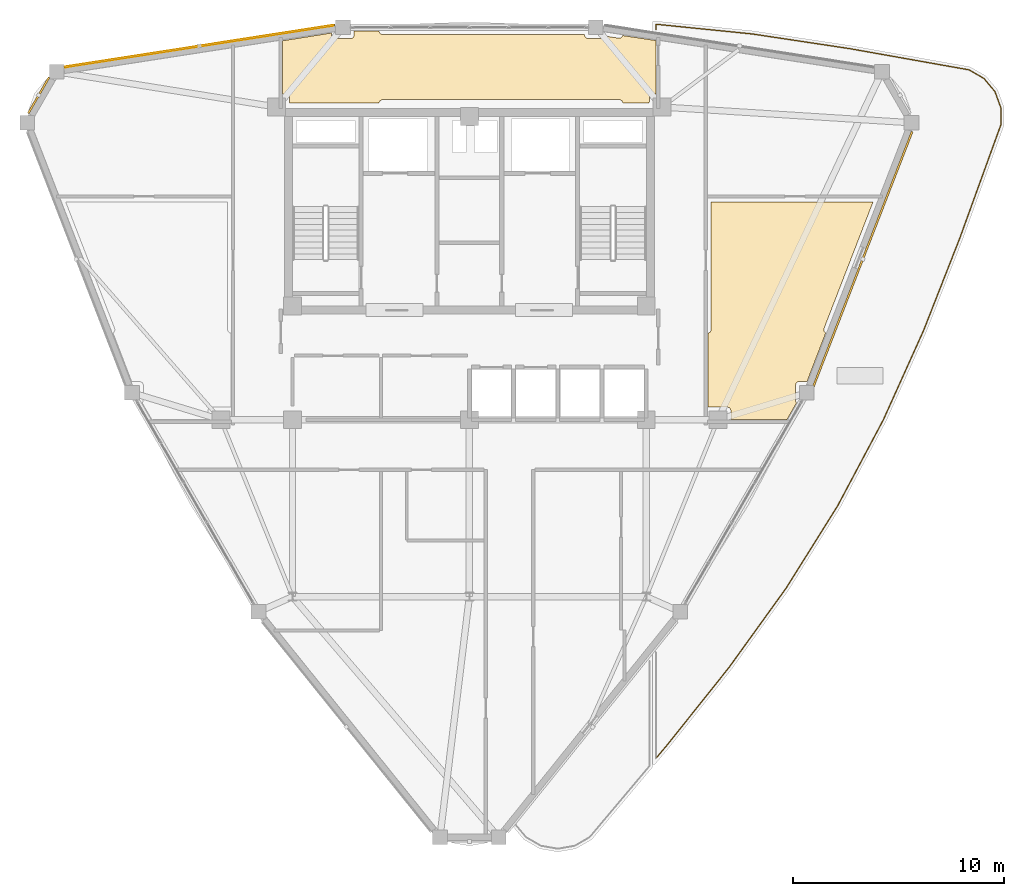
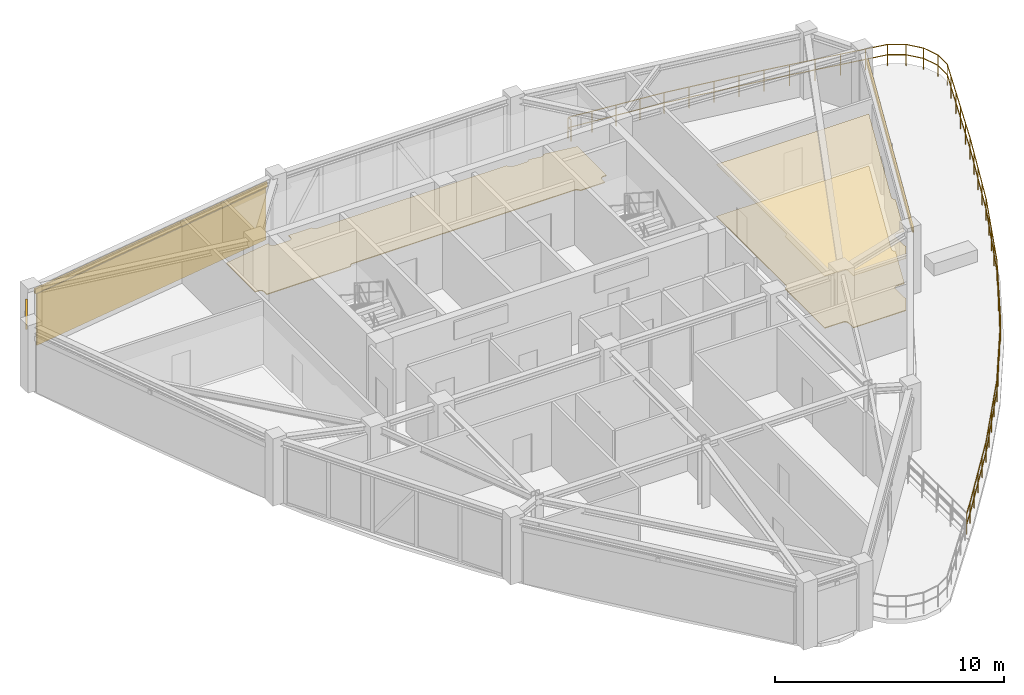
# One storey, part 15 of 16: 4 coverings, 3 shading devices, 1 railing.
"""IFC4 building model written with IfcOpenShell, lengths in metres."""

from ifc_helpers import new_model, si_unit, derived_unit, direction, frame, origin, origin_2d, place, context, subcontext, project, spatial, polyline, hollow_rectangle, circle, outline, extrude, source, transform, mapped, material, layer, layer_set, material_profile, profile_set, type_object, element, save


model = new_model("IFC4")

# Units and contexts
model_context = context("Model", 3, precision=1e-05, world=origin(), true_north=direction((0.0, 1.0)))
body_context = subcontext(model_context, "Body", "Model", "MODEL_VIEW")
ifc_project = project(units=[si_unit("LENGTHUNIT", "METRE"), si_unit("AREAUNIT", "SQUARE_METRE"), si_unit("VOLUMEUNIT", "CUBIC_METRE"), si_unit("PLANEANGLEUNIT", "RADIAN"), si_unit("MASSUNIT", "GRAM", prefix="KILO"), derived_unit("THERMALTRANSMITTANCEUNIT", [(si_unit("POWERUNIT", "WATT"), 1), (si_unit("LENGTHUNIT", "METRE"), -2), (si_unit("THERMODYNAMICTEMPERATUREUNIT", "KELVIN"), -1)])], contexts=[model_context])

# Site, building, storey
site_placement = place(None, origin())
site = spatial("IfcSite", under=ifc_project, at=site_placement, CompositionType="ELEMENT")
building_placement = place(site_placement, origin())
building = spatial("IfcBuilding", under=site, at=building_placement, Name="Korsvarv Bourse and Concert Hall", CompositionType="ELEMENT")
storey_placement = place(building_placement, frame((0.0, 0.0, 243.0)))
storey = spatial("IfcBuildingStorey", under=building, at=storey_placement, Name="L63", CompositionType="ELEMENT", Elevation=243.0)

# Coverings
ifc_material_1 = material(Name="Perforated mineral-wool and birch acoustic baffle ceiling", Category="wood")
ifc_layer_1 = layer(ifc_material_1, 0.02490234375)
ifc_layer_set_1 = layer_set([ifc_layer_1], Name="Perforated mineral-wool and birch acoustic baffle ceiling")
covering_type_1 = type_object("IfcCoveringType", Name="COV-CEIL-1", PredefinedType="CEILING", material=ifc_layer_set_1)
covering_1_placement = place(storey_placement, frame((0.0, 0.0, 2.7900390625)))
element("IfcCovering", 1, at=covering_1_placement, inside=storey, type_object=covering_type_1, Name="L63 acoustic baffle ceiling 2", PredefinedType="CEILING", context=body_context, shape_type="SweptSolid", body=[
    extrude(outline(polyline([(47.320068359375, 36.51123046875), (47.34521484375, 36.515869140625), (47.37939453125, 36.5283203125), (47.41015625, 36.547607421875), (47.4365234375, 36.57275390625), (47.45751953125, 36.602783203125), (47.4716796875, 36.635986328125), (47.47900390625, 36.671875), (47.47998046875, 42.75), (55.1689453125, 42.75), (52.842041015625, 36.744140625), (52.83251953125, 36.708984375), (52.830078125, 36.6728515625), (52.8349609375, 36.636962890625), (52.846923828125, 36.6025390625), (52.865478515625, 36.571533203125), (52.89013671875, 36.544677734375), (52.91943359375, 36.5234375), (52.037109375, 34.2236328125), (51.6708984375, 34.2236328125), (51.635986328125, 34.22021484375), (51.6025390625, 34.210205078125), (51.57177734375, 34.19384765625), (51.54443359375, 34.171875), (51.522216796875, 34.14501953125), (51.50537109375, 34.1142578125), (51.494873046875, 34.080810546875), (51.490966796875, 34.046142578125), (51.48095703125, 33.336181640625), (51.484130859375, 33.2998046875), (51.494384765625, 33.264892578125), (51.51171875, 33.23291015625), (51.534912109375, 33.205078125), (51.069091796875, 32.394775390625), (51.0439453125, 32.402099609375), (51.008544921875, 32.405517578125), (48.4150390625, 32.40966796875), (48.4150390625, 32.824951171875), (48.41162109375, 32.85986328125), (48.401611328125, 32.893310546875), (48.385009765625, 32.92431640625), (48.363037109375, 32.951416015625), (48.336181640625, 32.973876953125), (48.305419921875, 32.99072265625), (48.27197265625, 33.001220703125), (48.237060546875, 33.0048828125), (47.377197265625, 33.014892578125), (47.342041015625, 33.011962890625), (47.320068359375, 33.006103515625), (47.320068359375, 36.51123046875)])), origin(), (0.0, 0.0, 1.0), 0.02490234375),
])
ifc_material_2 = material(Name="Warm iron-oxide extruded terracotta rainscreen tile", Category="ceramic")
ifc_layer_2 = layer(ifc_material_2, 0.044921875)
ifc_layer_set_2 = layer_set([ifc_layer_2], Name="Warm iron-oxide extruded terracotta rainscreen tile")
covering_type_2 = type_object("IfcCoveringType", Name="COV-CLD-TC", PredefinedType="CLADDING", material=ifc_layer_set_2)
covering_2_placement = place(storey_placement, origin())
element("IfcCovering", 2, at=covering_2_placement, inside=storey, type_object=covering_type_2, Name="L63 fluted terracotta cladding panel EW-L63-B04", PredefinedType="CLADDING", context=body_context, shape_type="SweptSolid", body=[
    extrude(outline(polyline([(29.540771484375, 51.0986328125), (16.822998046875, 49.125), (16.81591796875, 49.169189453125), (29.533935546875, 51.143310546875), (29.540771484375, 51.0986328125)])), origin(), (0.0, 0.0, 1.0), 2.760009765625),
])
ifc_material_3 = material(Name="Calcium-sulphate raised access trading floor with Nordic oak top", Category="wood")
ifc_layer_3 = layer(ifc_material_3, 0.0400390625)
ifc_layer_set_3 = layer_set([ifc_layer_3], Name="Calcium-sulphate raised access trading floor with Nordic oak top")
covering_type_3 = type_object("IfcCoveringType", Name="COV-FLOR-1", PredefinedType="FLOORING", material=ifc_layer_set_3)
covering_3_placement = place(storey_placement, origin())
element("IfcCovering", 3, at=covering_3_placement, inside=storey, type_object=covering_type_3, Name="L63 raised access oak floor finish 2", PredefinedType="FLOORING", context=body_context, shape_type="SweptSolid", body=[
    extrude(outline(polyline([(47.320068359375, 36.51123046875), (47.34521484375, 36.515869140625), (47.37939453125, 36.5283203125), (47.41015625, 36.547607421875), (47.4365234375, 36.57275390625), (47.45751953125, 36.602783203125), (47.4716796875, 36.635986328125), (47.47900390625, 36.671875), (47.47998046875, 42.75), (55.1689453125, 42.75), (52.842041015625, 36.744140625), (52.83251953125, 36.708984375), (52.830078125, 36.6728515625), (52.8349609375, 36.636962890625), (52.846923828125, 36.6025390625), (52.865478515625, 36.571533203125), (52.89013671875, 36.544677734375), (52.91943359375, 36.5234375), (52.037109375, 34.2236328125), (51.6708984375, 34.2236328125), (51.635986328125, 34.22021484375), (51.6025390625, 34.210205078125), (51.57177734375, 34.19384765625), (51.54443359375, 34.171875), (51.522216796875, 34.14501953125), (51.50537109375, 34.1142578125), (51.494873046875, 34.080810546875), (51.490966796875, 34.046142578125), (51.48095703125, 33.336181640625), (51.484130859375, 33.2998046875), (51.494384765625, 33.264892578125), (51.51171875, 33.23291015625), (51.534912109375, 33.205078125), (51.069091796875, 32.394775390625), (51.0439453125, 32.402099609375), (51.008544921875, 32.405517578125), (48.4150390625, 32.40966796875), (48.4150390625, 32.824951171875), (48.41162109375, 32.85986328125), (48.401611328125, 32.893310546875), (48.385009765625, 32.92431640625), (48.363037109375, 32.951416015625), (48.336181640625, 32.973876953125), (48.305419921875, 32.99072265625), (48.27197265625, 33.001220703125), (48.237060546875, 33.0048828125), (47.377197265625, 33.014892578125), (47.342041015625, 33.011962890625), (47.320068359375, 33.006103515625), (47.320068359375, 36.51123046875)])), origin(), (0.0, 0.0, 1.0), 0.0400390625),
])
covering_4_placement = place(storey_placement, origin())
element("IfcCovering", 4, at=covering_4_placement, inside=storey, type_object=covering_type_3, Name="L63 raised access oak floor finish 3", PredefinedType="FLOORING", context=body_context, shape_type="SweptSolid", body=[
    extrude(outline(polyline([(29.45556640625, 50.7666015625), (29.45556640625, 50.6826171875), (29.458984375, 50.64794921875), (29.468994140625, 50.614501953125), (29.4853515625, 50.58349609375), (29.50732421875, 50.556396484375), (29.5341796875, 50.533935546875), (29.56494140625, 50.51708984375), (29.598388671875, 50.506591796875), (29.633056640625, 50.502685546875), (30.343017578125, 50.49267578125), (30.3779296875, 50.49560546875), (30.41162109375, 50.505126953125), (30.442626953125, 50.52099609375), (30.47021484375, 50.542724609375), (30.492919921875, 50.5693359375), (30.51025390625, 50.599853515625), (30.521240234375, 50.633056640625), (30.525390625, 50.667724609375), (30.53076171875, 50.852783203125), (31.711181640625, 50.852783203125), (31.7158203125, 50.827392578125), (31.728515625, 50.79345703125), (31.747802734375, 50.762451171875), (31.772705078125, 50.736083984375), (31.802734375, 50.71533203125), (31.836181640625, 50.700927734375), (31.871826171875, 50.693603515625), (41.46435546875, 50.692626953125), (41.46533203125, 50.665283203125), (41.471923828125, 50.630859375), (41.4853515625, 50.598388671875), (41.504638671875, 50.5693359375), (41.529052734375, 50.54443359375), (41.55810546875, 50.52490234375), (41.590087890625, 50.510986328125), (41.62451171875, 50.50390625), (42.351806640625, 50.49267578125), (42.387939453125, 50.495849609375), (42.4228515625, 50.506103515625), (42.454833984375, 50.523193359375), (42.482666015625, 50.54638671875), (42.50537109375, 50.57470703125), (42.52197265625, 50.607177734375), (43.08447265625, 50.52099609375), (43.12060546875, 50.51904296875), (43.156494140625, 50.5244140625), (43.1904296875, 50.536865234375), (43.221435546875, 50.555908203125), (43.247802734375, 50.58056640625), (43.268798828125, 50.610107421875), (43.283203125, 50.643310546875), (44.87060546875, 50.40576171875), (44.8701171875, 47.864990234375), (44.72509765625, 47.864990234375), (44.6904296875, 47.861572265625), (44.656982421875, 47.851806640625), (44.626220703125, 47.83544921875), (44.59912109375, 47.813720703125), (44.576904296875, 47.787109375), (44.559814453125, 47.7568359375), (44.54931640625, 47.7236328125), (44.544921875, 47.689208984375), (44.539306640625, 47.43994140625), (43.288818359375, 47.43994140625), (43.2841796875, 47.465087890625), (43.271484375, 47.499267578125), (43.252197265625, 47.5302734375), (43.227294921875, 47.556640625), (43.197265625, 47.577392578125), (43.163818359375, 47.591796875), (43.128173828125, 47.59912109375), (31.889892578125, 47.60009765625), (31.853759765625, 47.59619140625), (31.819091796875, 47.58544921875), (31.787109375, 47.567626953125), (31.759521484375, 47.5439453125), (31.7373046875, 47.51513671875), (31.72119140625, 47.482421875), (31.712158203125, 47.447265625), (27.465087890625, 47.43994140625), (27.465087890625, 47.675048828125), (27.461669921875, 47.70947265625), (27.451904296875, 47.74267578125), (27.435791015625, 47.773193359375), (27.414306640625, 47.80029296875), (27.3876953125, 47.82275390625), (27.357666015625, 47.839599609375), (27.32470703125, 47.8505859375), (27.290283203125, 47.85498046875), (27.1298828125, 47.859619140625), (27.1298828125, 50.395751953125), (29.45556640625, 50.7666015625)])), origin(), (0.0, 0.0, 1.0), 0.0400390625),
])

# Railing
ifc_material_4 = material(Name="Laminated safety glass and stainless Steel S355 balustrade", Category="steel")
railing_type = type_object("IfcRailingType", Name="RL-BAL-EXT", PredefinedType="BALUSTRADE", material=ifc_material_4)
railing_placement = place(storey_placement, frame((44.85009765625, 50.917236328125, 0.0)))
element("IfcRailing", 5, at=railing_placement, inside=storey, type_object=railing_type, Name="L63 terrace perimeter balustrade SKYG1-2", PredefinedType="BALUSTRADE", context=body_context, shape_type="SweptSolid", body=[
    extrude(circle(Radius=0.02392578125, at=origin_2d()), frame((0.0, 0.0, 1.1259765625), z_axis=(0.0, 1.0, 0.0), x_axis=(-1.0, 0.0, 0.0)), (0.0, 0.0, 1.0), 0.264404296875),
    extrude(circle(Radius=0.02392578125, at=origin_2d()), frame((0.0, 0.0, 0.574951171875), z_axis=(0.0, 1.0, 0.0), x_axis=(-1.0, 0.0, 0.0)), (0.0, 0.0, 1.0), 0.264404296875),
    extrude(circle(Radius=0.02392578125, at=origin_2d()), frame((0.0, 0.264404296875, 1.1259765625), z_axis=(0.994964507302, -0.10022788639, 0.0), x_axis=(0.10022788639, 0.994964507302, 0.0)), (0.0, 0.0, 1.0), 4.606201171875),
    extrude(circle(Radius=0.02392578125, at=origin_2d()), frame((0.0, 0.264404296875, 0.574951171875), z_axis=(0.994964507302, -0.10022788639, 0.0), x_axis=(0.10022788639, 0.994964507302, 0.0)), (0.0, 0.0, 1.0), 4.606201171875),
    extrude(circle(Radius=0.02392578125, at=origin_2d()), frame((4.5830078125, -0.197265625, 1.1259765625), z_axis=(0.988823545061, -0.149090565537, 0.0), x_axis=(0.149090565537, 0.988823545061, 0.0)), (0.0, 0.0, 1.0), 4.69482421875),
    extrude(circle(Radius=0.02392578125, at=origin_2d()), frame((4.5830078125, -0.197265625, 0.574951171875), z_axis=(0.988823545061, -0.149090565537, 0.0), x_axis=(0.149090565537, 0.988823545061, 0.0)), (0.0, 0.0, 1.0), 4.69482421875),
    extrude(circle(Radius=0.02392578125, at=origin_2d()), frame((9.225341796875, -0.897216796875, 1.1259765625), z_axis=(0.984548657444, -0.175111225012, 0.0), x_axis=(0.175111225012, 0.984548657444, 0.0)), (0.0, 0.0, 1.0), 4.726318359375),
    extrude(circle(Radius=0.02392578125, at=origin_2d()), frame((9.225341796875, -0.897216796875, 0.574951171875), z_axis=(0.984548657444, -0.175111225012, 0.0), x_axis=(0.175111225012, 0.984548657444, 0.0)), (0.0, 0.0, 1.0), 4.726318359375),
    extrude(circle(Radius=0.02392578125, at=origin_2d()), frame((13.878662109375, -1.724853515625, 1.1259765625), z_axis=(0.984761666444, -0.173909345067, 0.0), x_axis=(0.173909345067, 0.984761666444, 0.0)), (0.0, 0.0, 1.0), 1.0107421875),
    extrude(circle(Radius=0.02392578125, at=origin_2d()), frame((13.878662109375, -1.724853515625, 0.574951171875), z_axis=(0.984761666444, -0.173909345067, 0.0), x_axis=(0.173909345067, 0.984761666444, 0.0)), (0.0, 0.0, 1.0), 1.0107421875),
    extrude(circle(Radius=0.02392578125, at=origin_2d()), frame((14.8740234375, -1.900634765625, 1.1259765625), z_axis=(0.866080975745, -0.499903734186, 0.0), x_axis=(0.499903734186, 0.866080975745, 0.0)), (0.0, 0.0, 1.0), 0.816162109375),
    extrude(circle(Radius=0.02392578125, at=origin_2d()), frame((14.8740234375, -1.900634765625, 0.574951171875), z_axis=(0.866080975745, -0.499903734186, 0.0), x_axis=(0.499903734186, 0.866080975745, 0.0)), (0.0, 0.0, 1.0), 0.816162109375),
    extrude(circle(Radius=0.02392578125, at=origin_2d()), frame((15.580810546875, -2.30859375, 1.1259765625), z_axis=(0.642827392176, -0.766011059886, 0.0), x_axis=(0.766011059886, 0.642827392176, 0.0)), (0.0, 0.0, 1.0), 0.816650390625),
    extrude(circle(Radius=0.02392578125, at=origin_2d()), frame((15.580810546875, -2.30859375, 0.574951171875), z_axis=(0.642827392176, -0.766011059886, 0.0), x_axis=(0.766011059886, 0.642827392176, 0.0)), (0.0, 0.0, 1.0), 0.816650390625),
    extrude(circle(Radius=0.02392578125, at=origin_2d()), frame((16.105712890625, -2.93408203125, 1.1259765625), z_axis=(0.341959247603, -0.939714782782, 0.0), x_axis=(0.939714782782, 0.341959247603, 0.0)), (0.0, 0.0, 1.0), 0.816162109375),
    extrude(circle(Radius=0.02392578125, at=origin_2d()), frame((16.105712890625, -2.93408203125, 0.574951171875), z_axis=(0.341959247603, -0.939714782782, 0.0), x_axis=(0.939714782782, 0.341959247603, 0.0)), (0.0, 0.0, 1.0), 0.816162109375),
    extrude(circle(Radius=0.02392578125, at=origin_2d()), frame((16.384765625, -3.700927734375, 1.1259765625), z_axis=(0.0, -1.0, 0.0), x_axis=(1.0, 0.0, 0.0)), (0.0, 0.0, 1.0), 0.81640625),
    extrude(circle(Radius=0.02392578125, at=origin_2d()), frame((16.384765625, -3.700927734375, 0.574951171875), z_axis=(0.0, -1.0, 0.0), x_axis=(1.0, 0.0, 0.0)), (0.0, 0.0, 1.0), 0.81640625),
    extrude(circle(Radius=0.02392578125, at=origin_2d()), frame((16.384765625, -4.517333984375, 1.1259765625), z_axis=(-0.34203792349, -0.939686149145, 0.0), x_axis=(0.939686149145, -0.34203792349, 0.0)), (0.0, 0.0, 1.0), 0.9970703125),
    extrude(circle(Radius=0.02392578125, at=origin_2d()), frame((16.384765625, -4.517333984375, 0.574951171875), z_axis=(-0.34203792349, -0.939686149145, 0.0), x_axis=(0.939686149145, -0.34203792349, 0.0)), (0.0, 0.0, 1.0), 0.9970703125),
    extrude(circle(Radius=0.02392578125, at=origin_2d()), frame((16.043701171875, -5.454345703125, 1.1259765625), z_axis=(-0.340584766404, -0.940213814456, 0.0), x_axis=(0.940213814456, -0.340584766404, 0.0)), (0.0, 0.0, 1.0), 4.73974609375),
    extrude(circle(Radius=0.02392578125, at=origin_2d()), frame((16.043701171875, -5.454345703125, 0.574951171875), z_axis=(-0.340584766404, -0.940213814456, 0.0), x_axis=(0.940213814456, -0.340584766404, 0.0)), (0.0, 0.0, 1.0), 4.73974609375),
    extrude(circle(Radius=0.02392578125, at=origin_2d()), frame((14.429443359375, -9.91064453125, 1.1259765625), z_axis=(-0.365333952439, -0.93087652414, 0.0), x_axis=(0.93087652414, -0.365333952439, 0.0)), (0.0, 0.0, 1.0), 4.697265625),
    extrude(circle(Radius=0.02392578125, at=origin_2d()), frame((14.429443359375, -9.91064453125, 0.574951171875), z_axis=(-0.365333952439, -0.93087652414, 0.0), x_axis=(0.93087652414, -0.365333952439, 0.0)), (0.0, 0.0, 1.0), 4.697265625),
    extrude(circle(Radius=0.02392578125, at=origin_2d()), frame((12.71337890625, -14.283203125, 1.1259765625), z_axis=(-0.410703436316, -0.911768987956, 0.0), x_axis=(0.911768987956, -0.410703436316, 0.0)), (0.0, 0.0, 1.0), 4.644287109375),
    extrude(circle(Radius=0.02392578125, at=origin_2d()), frame((12.71337890625, -14.283203125, 0.574951171875), z_axis=(-0.410703436316, -0.911768987956, 0.0), x_axis=(0.911768987956, -0.410703436316, 0.0)), (0.0, 0.0, 1.0), 4.644287109375),
    extrude(circle(Radius=0.02392578125, at=origin_2d()), frame((10.805908203125, -18.517822265625, 1.1259765625), z_axis=(-0.469052038009, -0.883170530328, 0.0), x_axis=(0.883170530328, -0.469052038009, 0.0)), (0.0, 0.0, 1.0), 4.61328125),
    extrude(circle(Radius=0.02392578125, at=origin_2d()), frame((10.805908203125, -18.517822265625, 0.574951171875), z_axis=(-0.469052038009, -0.883170530328, 0.0), x_axis=(0.883170530328, -0.469052038009, 0.0)), (0.0, 0.0, 1.0), 4.61328125),
    extrude(circle(Radius=0.02392578125, at=origin_2d()), frame((8.64208984375, -22.592041015625, 1.1259765625), z_axis=(-0.530289035929, -0.847816925034, 0.0), x_axis=(0.847816925034, -0.530289035929, 0.0)), (0.0, 0.0, 1.0), 4.614013671875),
    extrude(circle(Radius=0.02392578125, at=origin_2d()), frame((8.64208984375, -22.592041015625, 0.574951171875), z_axis=(-0.530289035929, -0.847816925034, 0.0), x_axis=(0.847816925034, -0.530289035929, 0.0)), (0.0, 0.0, 1.0), 4.614013671875),
    extrude(circle(Radius=0.02392578125, at=origin_2d()), frame((6.1953125, -26.50390625, 1.1259765625), z_axis=(-0.584332426373, -0.811514396353, 0.0), x_axis=(0.811514396353, -0.584332426373, 0.0)), (0.0, 0.0, 1.0), 4.6435546875),
    extrude(circle(Radius=0.02392578125, at=origin_2d()), frame((6.1953125, -26.50390625, 0.574951171875), z_axis=(-0.584332426373, -0.811514396353, 0.0), x_axis=(0.811514396353, -0.584332426373, 0.0)), (0.0, 0.0, 1.0), 4.6435546875),
    extrude(circle(Radius=0.02392578125, at=origin_2d()), frame((3.48193359375, -30.272216796875, 1.1259765625), z_axis=(-0.623520800949, -0.781806760513, 0.0), x_axis=(0.781806760513, -0.623520800949, 0.0)), (0.0, 0.0, 1.0), 4.693603515625),
    extrude(circle(Radius=0.02392578125, at=origin_2d()), frame((3.48193359375, -30.272216796875, 0.574951171875), z_axis=(-0.623520800949, -0.781806760513, 0.0), x_axis=(0.781806760513, -0.623520800949, 0.0)), (0.0, 0.0, 1.0), 4.693603515625),
    extrude(circle(Radius=0.02392578125, at=origin_2d()), frame((0.555419921875, -33.941650390625, 1.1259765625), z_axis=(-0.643935250114, -0.765079991674, 0.0), x_axis=(0.765079991674, -0.643935250114, 0.0)), (0.0, 0.0, 1.0), 0.862548828125),
    extrude(circle(Radius=0.02392578125, at=origin_2d()), frame((0.555419921875, -33.941650390625, 0.574951171875), z_axis=(-0.643935250114, -0.765079991674, 0.0), x_axis=(0.765079991674, -0.643935250114, 0.0)), (0.0, 0.0, 1.0), 0.862548828125),
    extrude(circle(Radius=0.02099609375, at=origin_2d()), origin(), (0.0, 0.0, 1.0), 1.101806640625),
    extrude(circle(Radius=0.02099609375, at=origin_2d()), frame((0.0, 0.264404296875, 0.0)), (0.0, 0.0, 1.0), 1.101806640625),
    extrude(circle(Radius=0.02099609375, at=origin_2d()), frame((1.145751953125, 0.14892578125, 0.0)), (0.0, 0.0, 1.0), 1.101806640625),
    extrude(circle(Radius=0.02099609375, at=origin_2d()), frame((2.29150390625, 0.03369140625, 0.0)), (0.0, 0.0, 1.0), 1.101806640625),
    extrude(circle(Radius=0.02099609375, at=origin_2d()), frame((3.437255859375, -0.081787109375, 0.0)), (0.0, 0.0, 1.0), 1.101806640625),
    extrude(circle(Radius=0.02099609375, at=origin_2d()), frame((4.5830078125, -0.197265625, 0.0)), (0.0, 0.0, 1.0), 1.101806640625),
    extrude(circle(Radius=0.02099609375, at=origin_2d()), frame((5.74365234375, -0.372314453125, 0.0)), (0.0, 0.0, 1.0), 1.101806640625),
    extrude(circle(Radius=0.02099609375, at=origin_2d()), frame((6.904296875, -0.54736328125, 0.0)), (0.0, 0.0, 1.0), 1.101806640625),
    extrude(circle(Radius=0.02099609375, at=origin_2d()), frame((8.064697265625, -0.72216796875, 0.0)), (0.0, 0.0, 1.0), 1.101806640625),
    extrude(circle(Radius=0.02099609375, at=origin_2d()), frame((9.225341796875, -0.897216796875, 0.0)), (0.0, 0.0, 1.0), 1.101806640625),
    extrude(circle(Radius=0.02099609375, at=origin_2d()), frame((10.388671875, -1.10400390625, 0.0)), (0.0, 0.0, 1.0), 1.101806640625),
    extrude(circle(Radius=0.02099609375, at=origin_2d()), frame((11.552001953125, -1.31103515625, 0.0)), (0.0, 0.0, 1.0), 1.101806640625),
    extrude(circle(Radius=0.02099609375, at=origin_2d()), frame((12.71533203125, -1.51806640625, 0.0)), (0.0, 0.0, 1.0), 1.101806640625),
    extrude(circle(Radius=0.02099609375, at=origin_2d()), frame((13.878662109375, -1.724853515625, 0.0)), (0.0, 0.0, 1.0), 1.101806640625),
    extrude(circle(Radius=0.02099609375, at=origin_2d()), frame((14.8740234375, -1.900634765625, 0.0)), (0.0, 0.0, 1.0), 1.101806640625),
    extrude(circle(Radius=0.02099609375, at=origin_2d()), frame((15.580810546875, -2.30859375, 0.0)), (0.0, 0.0, 1.0), 1.101806640625),
    extrude(circle(Radius=0.02099609375, at=origin_2d()), frame((16.105712890625, -2.93408203125, 0.0)), (0.0, 0.0, 1.0), 1.101806640625),
    extrude(circle(Radius=0.02099609375, at=origin_2d()), frame((16.384765625, -3.700927734375, 0.0)), (0.0, 0.0, 1.0), 1.101806640625),
    extrude(circle(Radius=0.02099609375, at=origin_2d()), frame((16.384765625, -4.517333984375, 0.0)), (0.0, 0.0, 1.0), 1.101806640625),
    extrude(circle(Radius=0.02099609375, at=origin_2d()), frame((16.043701171875, -5.454345703125, 0.0)), (0.0, 0.0, 1.0), 1.101806640625),
    extrude(circle(Radius=0.02099609375, at=origin_2d()), frame((15.64013671875, -6.568359375, 0.0)), (0.0, 0.0, 1.0), 1.101806640625),
    extrude(circle(Radius=0.02099609375, at=origin_2d()), frame((15.236572265625, -7.6826171875, 0.0)), (0.0, 0.0, 1.0), 1.101806640625),
    extrude(circle(Radius=0.02099609375, at=origin_2d()), frame((14.8330078125, -8.796630859375, 0.0)), (0.0, 0.0, 1.0), 1.101806640625),
    extrude(circle(Radius=0.02099609375, at=origin_2d()), frame((14.429443359375, -9.91064453125, 0.0)), (0.0, 0.0, 1.0), 1.101806640625),
    extrude(circle(Radius=0.02099609375, at=origin_2d()), frame((14.00048828125, -11.00390625, 0.0)), (0.0, 0.0, 1.0), 1.101806640625),
    extrude(circle(Radius=0.02099609375, at=origin_2d()), frame((13.5712890625, -12.096923828125, 0.0)), (0.0, 0.0, 1.0), 1.101806640625),
    extrude(circle(Radius=0.02099609375, at=origin_2d()), frame((13.142333984375, -13.18994140625, 0.0)), (0.0, 0.0, 1.0), 1.101806640625),
    extrude(circle(Radius=0.02099609375, at=origin_2d()), frame((12.71337890625, -14.283203125, 0.0)), (0.0, 0.0, 1.0), 1.101806640625),
    extrude(circle(Radius=0.02099609375, at=origin_2d()), frame((12.236572265625, -15.341796875, 0.0)), (0.0, 0.0, 1.0), 1.101806640625),
    extrude(circle(Radius=0.02099609375, at=origin_2d()), frame((11.759765625, -16.400390625, 0.0)), (0.0, 0.0, 1.0), 1.101806640625),
    extrude(circle(Radius=0.02099609375, at=origin_2d()), frame((11.28271484375, -17.459228515625, 0.0)), (0.0, 0.0, 1.0), 1.101806640625),
    extrude(circle(Radius=0.02099609375, at=origin_2d()), frame((10.805908203125, -18.517822265625, 0.0)), (0.0, 0.0, 1.0), 1.101806640625),
    extrude(circle(Radius=0.02099609375, at=origin_2d()), frame((10.264892578125, -19.536376953125, 0.0)), (0.0, 0.0, 1.0), 1.101806640625),
    extrude(circle(Radius=0.02099609375, at=origin_2d()), frame((9.72412109375, -20.554931640625, 0.0)), (0.0, 0.0, 1.0), 1.101806640625),
    extrude(circle(Radius=0.02099609375, at=origin_2d()), frame((9.18310546875, -21.573486328125, 0.0)), (0.0, 0.0, 1.0), 1.101806640625),
    extrude(circle(Radius=0.02099609375, at=origin_2d()), frame((8.64208984375, -22.592041015625, 0.0)), (0.0, 0.0, 1.0), 1.101806640625),
    extrude(circle(Radius=0.02099609375, at=origin_2d()), frame((8.0302734375, -23.570068359375, 0.0)), (0.0, 0.0, 1.0), 1.101806640625),
    extrude(circle(Radius=0.02099609375, at=origin_2d()), frame((7.418701171875, -24.5478515625, 0.0)), (0.0, 0.0, 1.0), 1.101806640625),
    extrude(circle(Radius=0.02099609375, at=origin_2d()), frame((6.80712890625, -25.52587890625, 0.0)), (0.0, 0.0, 1.0), 1.101806640625),
    extrude(circle(Radius=0.02099609375, at=origin_2d()), frame((6.1953125, -26.50390625, 0.0)), (0.0, 0.0, 1.0), 1.101806640625),
    extrude(circle(Radius=0.02099609375, at=origin_2d()), frame((5.51708984375, -27.446044921875, 0.0)), (0.0, 0.0, 1.0), 1.101806640625),
    extrude(circle(Radius=0.02099609375, at=origin_2d()), frame((4.838623046875, -28.38818359375, 0.0)), (0.0, 0.0, 1.0), 1.101806640625),
    extrude(circle(Radius=0.02099609375, at=origin_2d()), frame((4.16015625, -29.330078125, 0.0)), (0.0, 0.0, 1.0), 1.101806640625),
    extrude(circle(Radius=0.02099609375, at=origin_2d()), frame((3.48193359375, -30.272216796875, 0.0)), (0.0, 0.0, 1.0), 1.101806640625),
    extrude(circle(Radius=0.02099609375, at=origin_2d()), frame((2.750244140625, -31.189453125, 0.0)), (0.0, 0.0, 1.0), 1.101806640625),
    extrude(circle(Radius=0.02099609375, at=origin_2d()), frame((2.0185546875, -32.10693359375, 0.0)), (0.0, 0.0, 1.0), 1.101806640625),
    extrude(circle(Radius=0.02099609375, at=origin_2d()), frame((1.287109375, -33.0244140625, 0.0)), (0.0, 0.0, 1.0), 1.101806640625),
    extrude(circle(Radius=0.02099609375, at=origin_2d()), frame((0.555419921875, -33.941650390625, 0.0)), (0.0, 0.0, 1.0), 1.101806640625),
    extrude(circle(Radius=0.02099609375, at=origin_2d()), frame((0.0, -34.6015625, 0.0)), (0.0, 0.0, 1.0), 1.101806640625),
])

# Shading devices
ifc_material_5 = material(Name="Glazed extruded architectural terracotta", Category="ceramic")
ifc_material_profile = material_profile(ifc_material_5, hollow_rectangle(XDim=0.090087890625, YDim=0.260009765625, WallThickness=0.011962890625, at=origin_2d()), Name="TC-BAG 90x260")
ifc_profile_set = profile_set([ifc_material_profile], Name="Glazed extruded architectural terracotta")
shading_device_type = type_object("IfcShadingDeviceType", Name="SHD-BAG-1", PredefinedType="USERDEFINED", material=ifc_profile_set)
shared_shape_1 = source(origin(), body_context, "Body", "SweptSolid", [
    extrude(hollow_rectangle(XDim=0.090087890625, YDim=0.260009765625, WallThickness=0.011962890625, at=origin_2d()), origin(), (0.0, 0.0, 1.0), 1.97509765625),
])
shading_device_1_placement = place(storey_placement, frame((16.04443359375, 48.66162109375, 2.919921875), z_axis=(-0.500007788796, -0.866020906874, 0.0), x_axis=(0.866020906874, -0.500007788796, 0.0)))
element("IfcShadingDevice", 6, at=shading_device_1_placement, inside=storey, type_object=shading_device_type, Name="L63 terracotta baguette sunshade EW-L63-B05", ObjectType="BAGUETTE", PredefinedType="USERDEFINED", context=body_context, shape_type="MappedRepresentation", body=[
    mapped(shared_shape_1, transform((0.0, 0.0, 0.0), scale=1.0)),
])
shared_shape_2 = source(origin(), body_context, "Body", "SweptSolid", [
    extrude(hollow_rectangle(XDim=0.090087890625, YDim=0.260009765625, WallThickness=0.011962890625, at=origin_2d()), origin(), (0.0, 0.0, 1.0), 13.030029296875),
])
shading_device_2_placement = place(storey_placement, frame((29.61376953125, 51.150390625, 2.919921875), z_axis=(-0.988170476673, -0.153359411293, 0.0), x_axis=(0.153359411293, -0.988170476673, 0.0)))
element("IfcShadingDevice", 7, at=shading_device_2_placement, inside=storey, type_object=shading_device_type, Name="L63 terracotta baguette sunshade EW-L63-B04", ObjectType="BAGUETTE", PredefinedType="USERDEFINED", context=body_context, shape_type="MappedRepresentation", body=[
    mapped(shared_shape_2, transform((0.0, 0.0, 0.0), scale=1.0)),
])
shared_shape_3 = source(origin(), body_context, "Body", "SweptSolid", [
    extrude(hollow_rectangle(XDim=0.090087890625, YDim=0.260009765625, WallThickness=0.011962890625, at=origin_2d()), origin(), (0.0, 0.0, 1.0), 12.9873046875),
])
shading_device_3_placement = place(storey_placement, frame((52.330810546875, 33.9716796875, 2.919921875), z_axis=(0.361269378379, 0.93246149317, 0.0), x_axis=(-0.93246149317, 0.361269378379, 0.0)))
element("IfcShadingDevice", 8, at=shading_device_3_placement, inside=storey, type_object=shading_device_type, Name="L63 terracotta baguette sunshade EW-L63-B12", ObjectType="BAGUETTE", PredefinedType="USERDEFINED", context=body_context, shape_type="MappedRepresentation", body=[
    mapped(shared_shape_3, transform((0.0, 0.0, 0.0), scale=1.0)),
])

save(model, "model.ifc")
